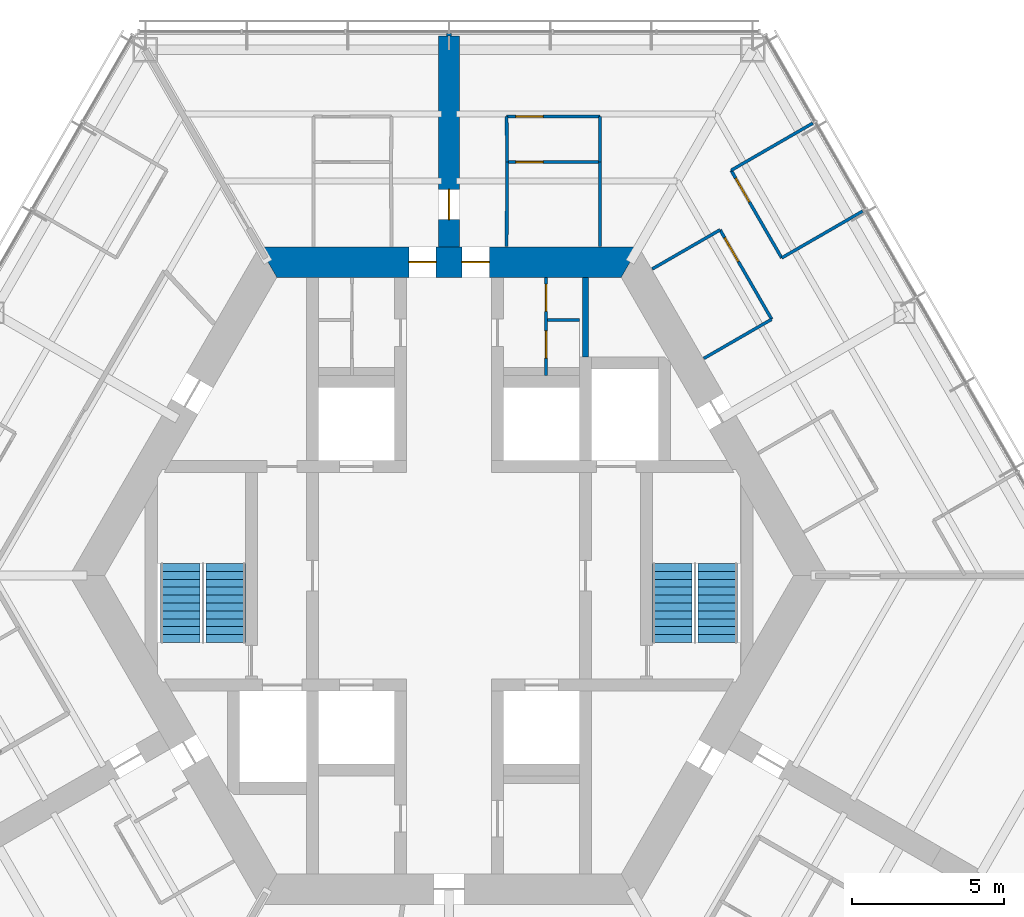
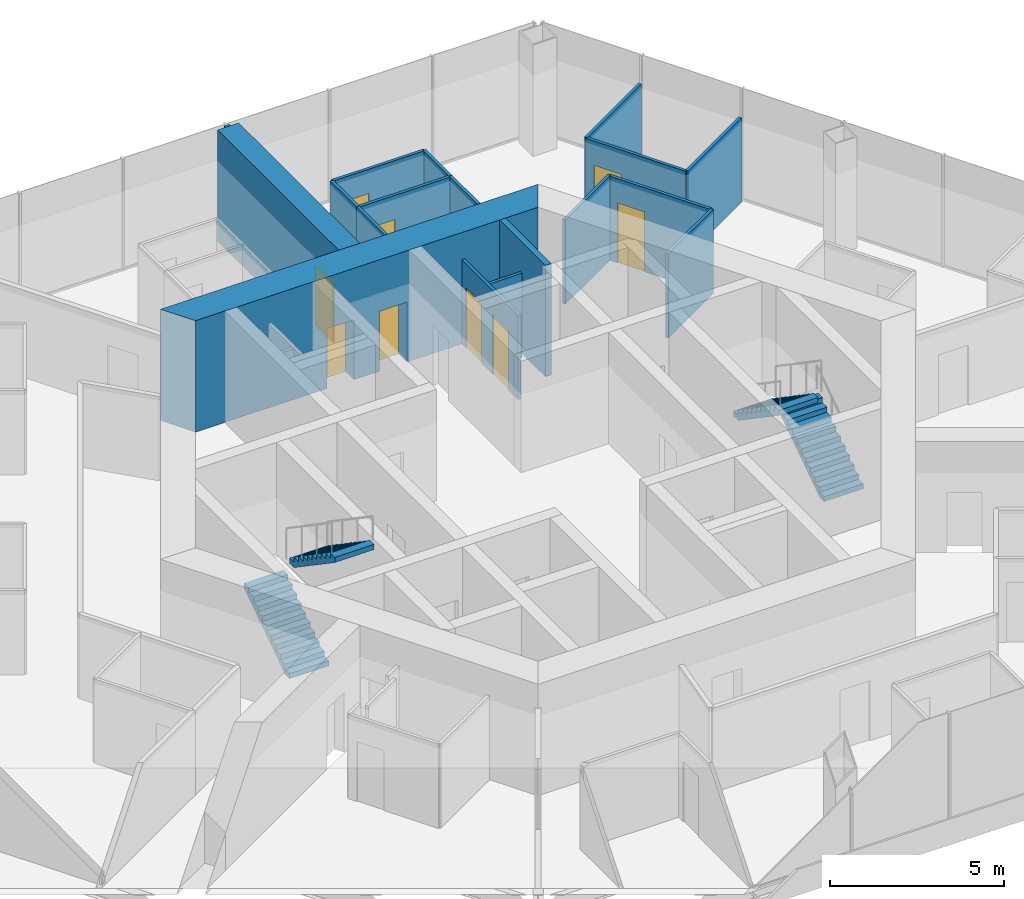
# One storey, part 16 of 19: 18 walls, 9 doors, 4 stair flights, 9 openings, 2 elements without a shape of their own.
"""IFC4 building model written with IfcOpenShell, lengths in metres."""

from ifc_helpers import new_model, si_unit, direction, frame, frame_2d, origin, place, context, subcontext, project, spatial, polyline, rectangle, outline, extrude, material, layer, layer_set, type_object, element, fill, aggregate, save


model = new_model("IFC4")

# Units and contexts
model_context = context("Model", 3, precision=1e-05, world=origin(), true_north=direction((0.0, 1.0)))
body_context = subcontext(model_context, "Body", "Model", "MODEL_VIEW")
ifc_project = project(units=[si_unit("LENGTHUNIT", "METRE"), si_unit("AREAUNIT", "SQUARE_METRE"), si_unit("VOLUMEUNIT", "CUBIC_METRE"), si_unit("PLANEANGLEUNIT", "RADIAN"), si_unit("MASSUNIT", "GRAM", prefix="KILO")], contexts=[model_context])

# Site, building, storey
site_placement = place(None, origin())
site = spatial("IfcSite", under=ifc_project, at=site_placement, CompositionType="ELEMENT")
building_placement = place(site_placement, origin())
building = spatial("IfcBuilding", under=site, at=building_placement, Name="Kasaneha Research Tower", CompositionType="ELEMENT")
storey_placement = place(building_placement, frame((0.0, 0.0, 156.5)))
storey = spatial("IfcBuildingStorey", under=building, at=storey_placement, Name="L39", CompositionType="ELEMENT", Elevation=156.5)

# Wall, openings, doors
ifc_material_1 = material(Name="Concrete Fc70", Category="concrete")
ifc_layer_1 = layer(ifc_material_1, 1.0)
ifc_layer_set_1 = layer_set([ifc_layer_1], Name="Core wall 1000 Fc70")
wall_type_1 = type_object("IfcWallType", Name="Core wall 1000 Fc70", PredefinedType="SHEAR", material=ifc_layer_set_1)
wall_1_placement = place(storey_placement, frame((5.961181640625, 10.324951171875, 0.0), z_axis=(0.0, 0.0, 1.0), x_axis=(-1.0, 0.0, 0.0)))
wall_1 = element("IfcWall", 1, at=wall_1_placement, inside=storey, type_object=wall_type_1, Name="Core wall 090 L39", PredefinedType="SHEAR", context=body_context, shape_type="SweptSolid", body=[
    extrude(outline(polyline([(-0.28857421875, -0.5), (4.63623046875, -0.5), (5.5361328125, -0.5), (6.38623046875, -0.5), (7.2861328125, -0.5), (12.2109375, -0.5), (11.6337890625, 0.5), (7.2861328125, 0.5), (6.38623046875, 0.5), (5.5361328125, 0.5), (4.63623046875, 0.5), (0.28857421875, 0.5), (-0.28857421875, -0.5)])), origin(), (0.0, 0.0, 1.0), 3.89990234375),
])
opening_1_placement = place(wall_1_placement, frame((6.38623046875, 0.0, 0.0)))
opening_1 = element("IfcOpeningElement", 2, at=opening_1_placement, cuts=wall_1, Name="Opening L39-D01", PredefinedType="OPENING", context=body_context, shape_type="SweptSolid", body=[
    extrude(rectangle(XDim=0.89990234375, YDim=2.10009765625, at=frame_2d((0.449951171875, 1.050048828125))), frame((0.0, 0.510009765625, 0.0), z_axis=(0.0, -1.0, 0.0), x_axis=(1.0, 0.0, 0.0)), (0.0, 0.0, 1.0), 1.02001953125),
])
opening_2_placement = place(wall_1_placement, frame((4.63623046875, 0.0, 0.0)))
opening_2 = element("IfcOpeningElement", 3, at=opening_2_placement, cuts=wall_1, Name="Opening L39-D02", PredefinedType="OPENING", context=body_context, shape_type="SweptSolid", body=[
    extrude(rectangle(XDim=0.89990234375, YDim=2.10009765625, at=frame_2d((0.449951171875, 1.050048828125))), frame((0.0, 0.510009765625, 0.0), z_axis=(0.0, -1.0, 0.0), x_axis=(1.0, 0.0, 0.0)), (0.0, 0.0, 1.0), 1.02001953125),
])
ifc_material_2 = material(Name="Steel", Category="steel")
door_type_1 = type_object("IfcDoorType", Name="Toilet door FD20 900x2100", OperationType="NOTDEFINED", PredefinedType="DOOR", material=ifc_material_2)
door_1_placement = place(opening_1_placement, origin())
door_1 = element("IfcDoor", 4, at=door_1_placement, inside=storey, type_object=door_type_1, Name="Core door north 1 L39-D01", OperationType="SINGLE_SWING_RIGHT", OverallHeight=2.10009765625, OverallWidth=0.89990234375, PredefinedType="DOOR", context=body_context, shape_type="SweptSolid", body=[
    extrude(rectangle(XDim=0.89990234375, YDim=2.10009765625, at=frame_2d((0.449951171875, 1.050048828125))), frame((0.0, 0.02490234375, 0.0), z_axis=(0.0, -1.0, 0.0), x_axis=(1.0, 0.0, 0.0)), (0.0, 0.0, 1.0), 0.050048828125),
])
fill(opening_1, door_1)
door_2_placement = place(opening_2_placement, origin())
door_2 = element("IfcDoor", 5, at=door_2_placement, inside=storey, type_object=door_type_1, Name="Core door north 2 L39-D02", OperationType="SINGLE_SWING_LEFT", OverallHeight=2.10009765625, OverallWidth=0.89990234375, PredefinedType="DOOR", context=body_context, shape_type="SweptSolid", body=[
    extrude(rectangle(XDim=0.89990234375, YDim=2.10009765625, at=frame_2d((0.449951171875, 1.050048828125))), frame((0.0, 0.02490234375, 0.0), z_axis=(0.0, -1.0, 0.0), x_axis=(1.0, 0.0, 0.0)), (0.0, 0.0, 1.0), 0.050048828125),
])
fill(opening_2, door_2)

ifc_material_3 = material(Name="Gypsum board on steel studs, one layer each side", Category="steel")
ifc_layer_2 = layer(ifc_material_3, 0.10009765625)
ifc_layer_set_2 = layer_set([ifc_layer_2], Name="Office partition 100")
wall_type_2 = type_object("IfcWallType", Name="Office partition 100", PredefinedType="PARTITIONING", material=ifc_layer_set_2)
wall_2_placement = place(storey_placement, frame((3.199951171875, 6.60009765625, 0.0), z_axis=(0.0, 0.0, 1.0), x_axis=(0.0, 1.0, 0.0)))
wall_2 = element("IfcWall", 6, at=wall_2_placement, inside=storey, type_object=wall_type_2, Name="Office partition TBF1 L39", PredefinedType="PARTITIONING", context=body_context, shape_type="SweptSolid", body=[
    extrude(rectangle(XDim=3.224853515625, YDim=0.10009765625, at=frame_2d((1.6123046875, 0.0))), origin(), (0.0, 0.0, 1.0), 2.949951171875),
])
opening_3_placement = place(wall_2_placement, frame((0.5625, 0.0, 0.0)))
opening_3 = element("IfcOpeningElement", 7, at=opening_3_placement, cuts=wall_2, Name="Opening L39-D22", PredefinedType="OPENING", context=body_context, shape_type="SweptSolid", body=[
    extrude(rectangle(XDim=0.89990234375, YDim=2.10009765625, at=frame_2d((0.449951171875, 1.050048828125))), frame((0.0, 0.06005859375, 0.0), z_axis=(0.0, -1.0, 0.0), x_axis=(1.0, 0.0, 0.0)), (0.0, 0.0, 1.0), 0.1201171875),
])
opening_4_placement = place(wall_2_placement, frame((2.10009765625, 0.0, 0.0)))
opening_4 = element("IfcOpeningElement", 8, at=opening_4_placement, cuts=wall_2, Name="Opening L39-D23", PredefinedType="OPENING", context=body_context, shape_type="SweptSolid", body=[
    extrude(rectangle(XDim=0.89990234375, YDim=2.10009765625, at=frame_2d((0.449951171875, 1.050048828125))), frame((0.0, 0.06005859375, 0.0), z_axis=(0.0, -1.0, 0.0), x_axis=(1.0, 0.0, 0.0)), (0.0, 0.0, 1.0), 0.1201171875),
])
ifc_material_4 = material(Name="Steel", Category="steel")
door_type_2 = type_object("IfcDoorType", Name="Toilet lobby door FD30 900x2100", OperationType="NOTDEFINED", PredefinedType="DOOR", material=ifc_material_4)
door_3_placement = place(opening_3_placement, origin())
door_3 = element("IfcDoor", 9, at=door_3_placement, inside=storey, type_object=door_type_2, Name="Women's WC door L39-D22", OperationType="SINGLE_SWING_RIGHT", OverallHeight=2.10009765625, OverallWidth=0.89990234375, PredefinedType="DOOR", context=body_context, shape_type="SweptSolid", body=[
    extrude(rectangle(XDim=0.89990234375, YDim=2.10009765625, at=frame_2d((0.449951171875, 1.050048828125))), frame((0.0, 0.02490234375, 0.0), z_axis=(0.0, -1.0, 0.0), x_axis=(1.0, 0.0, 0.0)), (0.0, 0.0, 1.0), 0.050048828125),
])
fill(opening_3, door_3)
door_4_placement = place(opening_4_placement, origin())
door_4 = element("IfcDoor", 10, at=door_4_placement, inside=storey, type_object=door_type_2, Name="Parents' room door L39-D23", OperationType="SINGLE_SWING_RIGHT", OverallHeight=2.10009765625, OverallWidth=0.89990234375, PredefinedType="DOOR", context=body_context, shape_type="SweptSolid", body=[
    extrude(rectangle(XDim=0.89990234375, YDim=2.10009765625, at=frame_2d((0.449951171875, 1.050048828125))), frame((0.0, 0.02490234375, 0.0), z_axis=(0.0, -1.0, 0.0), x_axis=(1.0, 0.0, 0.0)), (0.0, 0.0, 1.0), 0.050048828125),
])
fill(opening_4, door_4)

# Wall
wall_3_placement = place(storey_placement, frame((3.25, 8.425048828125, 0.0), z_axis=(0.0, 0.0, 1.0), x_axis=(1.0, 0.0, 0.0)))
element("IfcWall", 11, at=wall_3_placement, inside=storey, type_object=wall_type_2, Name="Office partition TBF2 L39", PredefinedType="PARTITIONING", context=body_context, shape_type="SweptSolid", body=[
    extrude(rectangle(XDim=1.050048828125, YDim=0.10009765625, at=frame_2d((0.52490234375, 0.0))), origin(), (0.0, 0.0, 1.0), 2.949951171875),
])

# Wall, opening, door
wall_4_placement = place(storey_placement, frame((1.89990234375, 13.6201171875, 0.0), z_axis=(0.0, 0.0, 1.0), x_axis=(1.0, 0.0, 0.0)))
wall_4 = element("IfcWall", 12, at=wall_4_placement, inside=storey, type_object=wall_type_2, Name="Office partition FAE01 L39", PredefinedType="PARTITIONING", context=body_context, shape_type="SweptSolid", body=[
    extrude(rectangle(XDim=3.071044921875, YDim=0.10009765625, at=frame_2d((1.53564453125, 0.0))), origin(), (0.0, 0.0, 1.0), 2.949951171875),
])
opening_5_placement = place(wall_4_placement, frame((0.300048828125, 0.0, 0.0)))
opening_5 = element("IfcOpeningElement", 13, at=opening_5_placement, cuts=wall_4, Name="Opening L39-D27", PredefinedType="OPENING", context=body_context, shape_type="SweptSolid", body=[
    extrude(rectangle(XDim=0.89990234375, YDim=2.10009765625, at=frame_2d((0.449951171875, 1.050048828125))), frame((0.0, 0.06005859375, 0.0), z_axis=(0.0, -1.0, 0.0), x_axis=(1.0, 0.0, 0.0)), (0.0, 0.0, 1.0), 0.1201171875),
])
door_5_placement = place(opening_5_placement, origin())
door_5 = element("IfcDoor", 14, at=door_5_placement, inside=storey, type_object=door_type_2, Name="Women's WC door L39-D27", OperationType="SINGLE_SWING_LEFT", OverallHeight=2.10009765625, OverallWidth=0.89990234375, PredefinedType="DOOR", context=body_context, shape_type="SweptSolid", body=[
    extrude(rectangle(XDim=0.89990234375, YDim=2.10009765625, at=frame_2d((0.449951171875, 1.050048828125))), frame((0.0, 0.02490234375, 0.0), z_axis=(0.0, -1.0, 0.0), x_axis=(1.0, 0.0, 0.0)), (0.0, 0.0, 1.0), 0.050048828125),
])
fill(opening_5, door_5)

# Walls
for number, where, z_axis, x_axis, name in (
    (15, (1.89990234375, 10.844970703125, 0.0), (0.0, 0.0, 1.0), (0.001668567099, 0.999998607941, 0.0), "Office partition FAE02 L39"),
    (16, (4.96630859375, 13.625, 0.0), (0.0, 0.0, 1.0), (0.001668567099, -0.999998607941, 0.0), "Office partition FAE03 L39"),
):
    element("IfcWall", number, at=place(storey_placement, frame(where, z_axis=z_axis, x_axis=x_axis)), inside=storey, type_object=wall_type_2, Name=name, PredefinedType="PARTITIONING", context=body_context, shape_type="SweptSolid", body=[
        extrude(rectangle(XDim=2.780029296875, YDim=0.10009765625, at=frame_2d((1.39013671875, 0.0))), origin(), (0.0, 0.0, 1.0), 2.949951171875),
    ])

# Wall, opening, door
wall_5_placement = place(storey_placement, frame((1.89990234375, 15.125, 0.0), z_axis=(0.0, 0.0, 1.0), x_axis=(1.0, 0.0, 0.0)))
wall_5 = element("IfcWall", 17, at=wall_5_placement, inside=storey, type_object=wall_type_2, Name="Office partition FAE04 L39", PredefinedType="PARTITIONING", context=body_context, shape_type="SweptSolid", body=[
    extrude(rectangle(XDim=3.071044921875, YDim=0.10009765625, at=frame_2d((1.53564453125, 0.0))), origin(), (0.0, 0.0, 1.0), 2.949951171875),
])
opening_6_placement = place(wall_5_placement, frame((0.300048828125, 0.0, 0.0)))
opening_6 = element("IfcOpeningElement", 18, at=opening_6_placement, cuts=wall_5, Name="Opening L39-D28", PredefinedType="OPENING", context=body_context, shape_type="SweptSolid", body=[
    extrude(rectangle(XDim=0.89990234375, YDim=2.10009765625, at=frame_2d((0.449951171875, 1.050048828125))), frame((0.0, 0.06005859375, 0.0), z_axis=(0.0, -1.0, 0.0), x_axis=(1.0, 0.0, 0.0)), (0.0, 0.0, 1.0), 0.1201171875),
])
door_6_placement = place(opening_6_placement, origin())
door_6 = element("IfcDoor", 19, at=door_6_placement, inside=storey, type_object=door_type_2, Name="Toilet lobby door L39-D28", OperationType="SINGLE_SWING_LEFT", OverallHeight=2.10009765625, OverallWidth=0.89990234375, PredefinedType="DOOR", context=body_context, shape_type="SweptSolid", body=[
    extrude(rectangle(XDim=0.89990234375, YDim=2.10009765625, at=frame_2d((0.449951171875, 1.050048828125))), frame((0.0, 0.02490234375, 0.0), z_axis=(0.0, -1.0, 0.0), x_axis=(1.0, 0.0, 0.0)), (0.0, 0.0, 1.0), 0.050048828125),
])
fill(opening_6, door_6)

# Walls
for number, where, z_axis, x_axis, name in (
    (20, (1.904541015625, 13.625, 0.0), (0.0, 0.0, 1.0), (-0.00309243313, 0.999995218417, 0.0), "Office partition FAE05 L39"),
    (21, (4.970947265625, 15.125, 0.0), (0.0, 0.0, 1.0), (-0.00309243313, -0.999995218417, 0.0), "Office partition FAE06 L39"),
):
    element("IfcWall", number, at=place(storey_placement, frame(where, z_axis=z_axis, x_axis=x_axis)), inside=storey, type_object=wall_type_2, Name=name, PredefinedType="PARTITIONING", context=body_context, shape_type="SweptSolid", body=[
        extrude(rectangle(XDim=1.5, YDim=0.10009765625, at=frame_2d((0.75, 0.0))), origin(), (0.0, 0.0, 1.0), 2.949951171875),
    ])
wall_6_placement = place(storey_placement, frame((9.29052734375, 13.34912109375, 0.0), z_axis=(0.0, 0.0, 1.0), x_axis=(0.866042875753, 0.499969736442, 0.0)))
element("IfcWall", 22, at=wall_6_placement, inside=storey, type_object=wall_type_2, Name="Office partition FAE10 L39", PredefinedType="PARTITIONING", context=body_context, shape_type="SweptSolid", body=[
    extrude(rectangle(XDim=3.105224609375, YDim=0.10009765625, at=frame_2d((1.552734375, 0.0))), origin(), (0.0, 0.0, 1.0), 2.949951171875),
])

# Wall, opening, door
wall_7_placement = place(storey_placement, frame((10.9560546875, 10.464599609375, 0.0), z_axis=(0.0, 0.0, 1.0), x_axis=(-0.500033344505, 0.86600615147, 0.0)))
wall_7 = element("IfcWall", 23, at=wall_7_placement, inside=storey, type_object=wall_type_2, Name="Office partition FAE11 L39", PredefinedType="PARTITIONING", context=body_context, shape_type="SweptSolid", body=[
    extrude(rectangle(XDim=3.330810546875, YDim=0.10009765625, at=frame_2d((1.66552734375, 0.0))), origin(), (0.0, 0.0, 1.0), 2.949951171875),
])
opening_7_placement = place(wall_7_placement, frame((2.131103515625, 0.0, 0.0)))
opening_7 = element("IfcOpeningElement", 24, at=opening_7_placement, cuts=wall_7, Name="Opening L39-D30", PredefinedType="OPENING", context=body_context, shape_type="SweptSolid", body=[
    extrude(rectangle(XDim=0.89990234375, YDim=2.10009765625, at=frame_2d((0.449951171875, 1.050048828125))), frame((0.0, 0.06005859375, 0.0), z_axis=(0.0, -1.0, 0.0), x_axis=(1.0, 0.0, 0.0)), (0.0, 0.0, 1.0), 0.1201171875),
])
ifc_material_5 = material(Name="Timber veneer", Category="wood")
door_type_3 = type_object("IfcDoorType", Name="Office door 900x2100", OperationType="SINGLE_SWING_LEFT", PredefinedType="DOOR", material=ifc_material_5)
door_7_placement = place(opening_7_placement, origin())
door_7 = element("IfcDoor", 25, at=door_7_placement, inside=storey, type_object=door_type_3, Name="Manager's office door L39-D30", OperationType="SINGLE_SWING_RIGHT", OverallHeight=2.10009765625, OverallWidth=0.89990234375, PredefinedType="DOOR", context=body_context, shape_type="SweptSolid", body=[
    extrude(rectangle(XDim=0.89990234375, YDim=2.10009765625, at=frame_2d((0.449951171875, 1.050048828125))), frame((0.0, 0.02490234375, 0.0), z_axis=(0.0, -1.0, 0.0), x_axis=(1.0, 0.0, 0.0)), (0.0, 0.0, 1.0), 0.050048828125),
])
fill(opening_7, door_7)

# Walls
wall_8_placement = place(storey_placement, frame((13.623291015625, 12.00439453125, 0.0), z_axis=(0.0, 0.0, 1.0), x_axis=(-0.866044340336, -0.499967199496, 0.0)))
element("IfcWall", 26, at=wall_8_placement, inside=storey, type_object=wall_type_2, Name="Office partition FAE12 L39", PredefinedType="PARTITIONING", context=body_context, shape_type="SweptSolid", body=[
    extrude(rectangle(XDim=3.079833984375, YDim=0.10009765625, at=frame_2d((1.5400390625, 0.0))), origin(), (0.0, 0.0, 1.0), 2.949951171875),
])
wall_9_placement = place(storey_placement, frame((6.69189453125, 10.09912109375, 0.0), z_axis=(0.0, 0.0, 1.0), x_axis=(0.866086324858, 0.499894466757, 0.0)))
element("IfcWall", 27, at=wall_9_placement, inside=storey, type_object=wall_type_2, Name="Office partition FAE13 L39", PredefinedType="PARTITIONING", context=body_context, shape_type="SweptSolid", body=[
    extrude(rectangle(XDim=2.580078125, YDim=0.10009765625, at=frame_2d((1.2900390625, 0.0))), origin(), (0.0, 0.0, 1.0), 2.949951171875),
])

# Wall, opening, door
wall_10_placement = place(storey_placement, frame((8.926513671875, 11.388916015625, 0.0), z_axis=(0.0, 0.0, 1.0), x_axis=(0.500008388397, -0.866020560687, 0.0)))
wall_10 = element("IfcWall", 28, at=wall_10_placement, inside=storey, type_object=wall_type_2, Name="Office partition FAE14 L39", PredefinedType="PARTITIONING", context=body_context, shape_type="SweptSolid", body=[
    extrude(rectangle(XDim=3.39990234375, YDim=0.10009765625, at=frame_2d((1.699951171875, 0.0))), origin(), (0.0, 0.0, 1.0), 2.949951171875),
])
opening_8_placement = place(wall_10_placement, frame((0.300048828125, 0.0, 0.0)))
opening_8 = element("IfcOpeningElement", 29, at=opening_8_placement, cuts=wall_10, Name="Opening L39-D31", PredefinedType="OPENING", context=body_context, shape_type="SweptSolid", body=[
    extrude(rectangle(XDim=0.89990234375, YDim=2.10009765625, at=frame_2d((0.449951171875, 1.050048828125))), frame((0.0, 0.06005859375, 0.0), z_axis=(0.0, -1.0, 0.0), x_axis=(1.0, 0.0, 0.0)), (0.0, 0.0, 1.0), 0.1201171875),
])
door_8_placement = place(opening_8_placement, origin())
door_8 = element("IfcDoor", 30, at=door_8_placement, inside=storey, type_object=door_type_3, Name="Mail room door L39-D31", OperationType="SINGLE_SWING_LEFT", OverallHeight=2.10009765625, OverallWidth=0.89990234375, PredefinedType="DOOR", context=body_context, shape_type="SweptSolid", body=[
    extrude(rectangle(XDim=0.89990234375, YDim=2.10009765625, at=frame_2d((0.449951171875, 1.050048828125))), frame((0.0, 0.02490234375, 0.0), z_axis=(0.0, -1.0, 0.0), x_axis=(1.0, 0.0, 0.0)), (0.0, 0.0, 1.0), 0.050048828125),
])
fill(opening_8, door_8)

# Walls
wall_11_placement = place(storey_placement, frame((10.62646484375, 8.444580078125, 0.0), z_axis=(0.0, 0.0, 1.0), x_axis=(-0.866021702275, -0.500006411147, 0.0)))
element("IfcWall", 31, at=wall_11_placement, inside=storey, type_object=wall_type_2, Name="Office partition FAE15 L39", PredefinedType="PARTITIONING", context=body_context, shape_type="SweptSolid", body=[
    extrude(rectangle(XDim=2.580078125, YDim=0.10009765625, at=frame_2d((1.2900390625, 0.0))), origin(), (0.0, 0.0, 1.0), 2.949951171875),
])
ifc_material_6 = material(Name="Concrete block", Category="concrete")
ifc_layer_3 = layer(ifc_material_6, 0.199951171875)
ifc_layer_set_3 = layer_set([ifc_layer_3], Name="Riser enclosure wall 200")
wall_type_3 = type_object("IfcWallType", Name="Riser enclosure wall 200", PredefinedType="STANDARD", material=ifc_layer_set_3)
wall_12_placement = place(storey_placement, frame((4.5, 7.199951171875, 0.0), z_axis=(0.0, 0.0, 1.0), x_axis=(0.0, 1.0, 0.0)))
element("IfcWall", 32, at=wall_12_placement, inside=storey, type_object=wall_type_3, Name="Riser enclosure wall L39", PredefinedType="STANDARD", context=body_context, shape_type="SweptSolid", body=[
    extrude(rectangle(XDim=2.625, YDim=0.199951171875, at=frame_2d((1.3125, 0.0))), origin(), (0.0, 0.0, 1.0), 3.89990234375),
])

# Wall, opening, door
ifc_material_7 = material(Name="Concrete Fc70", Category="concrete")
ifc_layer_4 = layer(ifc_material_7, 0.699951171875)
ifc_layer_set_4 = layer_set([ifc_layer_4], Name="Spine wall 700 Fc70")
wall_type_4 = type_object("IfcWallType", Name="Spine wall 700 Fc70", PredefinedType="SHEAR", material=ifc_layer_set_4)
wall_13_placement = place(storey_placement, frame((0.0, 10.824951171875, 0.0), z_axis=(0.0, 0.0, 1.0), x_axis=(0.0, 1.0, 0.0)))
wall_13 = element("IfcWall", 33, at=wall_13_placement, inside=storey, type_object=wall_type_4, Name="Spine wall A L39", PredefinedType="SHEAR", context=body_context, shape_type="SweptSolid", body=[
    extrude(rectangle(XDim=6.945556640625, YDim=0.699951171875, at=frame_2d((3.47265625, 0.0))), origin(), (0.0, 0.0, 1.0), 3.89990234375),
])
opening_9_placement = place(wall_13_placement, frame((0.89990234375, 0.0, 0.0)))
opening_9 = element("IfcOpeningElement", 34, at=opening_9_placement, cuts=wall_13, Name="Opening L39-D17", PredefinedType="OPENING", context=body_context, shape_type="SweptSolid", body=[
    extrude(rectangle(XDim=1.0, YDim=2.10009765625, at=frame_2d((0.5, 1.050048828125))), frame((0.0, 0.35986328125, 0.0), z_axis=(0.0, -1.0, 0.0), x_axis=(1.0, 0.0, 0.0)), (0.0, 0.0, 1.0), 0.719970703125),
])
ifc_material_8 = material(Name="Steel", Category="steel")
door_type_4 = type_object("IfcDoorType", Name="Specified fire door FD60 1000x2100", OperationType="NOTDEFINED", PredefinedType="DOOR", material=ifc_material_8)
door_9_placement = place(opening_9_placement, origin())
door_9 = element("IfcDoor", 35, at=door_9_placement, inside=storey, type_object=door_type_4, Name="Spine doorway A L39-D17", OperationType="SINGLE_SWING_LEFT", OverallHeight=2.10009765625, OverallWidth=1.0, PredefinedType="DOOR", context=body_context, shape_type="SweptSolid", body=[
    extrude(rectangle(XDim=1.0, YDim=2.10009765625, at=frame_2d((0.5, 1.050048828125))), frame((0.0, 0.02490234375, 0.0), z_axis=(0.0, -1.0, 0.0), x_axis=(1.0, 0.0, 0.0)), (0.0, 0.0, 1.0), 0.050048828125),
])
fill(opening_9, door_9)

# Wall
ifc_material_9 = material(Name="Gypsum board on steel studs, two layers each side", Category="steel")
ifc_layer_5 = layer(ifc_material_9, 0.175048828125)
ifc_layer_set_5 = layer_set([ifc_layer_5], Name="Tenancy fire partition 175")
wall_type_5 = type_object("IfcWallType", Name="Tenancy fire partition 175", PredefinedType="PARTITIONING", material=ifc_layer_set_5)
wall_14_placement = place(storey_placement, frame((0.0, 17.7705078125, 0.0), z_axis=(0.0, 0.0, 1.0), x_axis=(0.0, 1.0, 0.0)))
element("IfcWall", 36, at=wall_14_placement, inside=storey, type_object=wall_type_5, Name="Spine wall closer SW3-700 L39", PredefinedType="PARTITIONING", context=body_context, shape_type="SweptSolid", body=[
    extrude(rectangle(XDim=0.080078125, YDim=0.175048828125, at=frame_2d((0.0400390625, 0.0))), origin(), (0.0, 0.0, 1.0), 3.89990234375),
])

# Stair, stair flights
ifc_material_10 = material(Name="Concrete Fc24", Category="concrete")
stair_type = type_object("IfcStairType", Name="Half-turn stair 22 risers", PredefinedType="HALF_TURN_STAIR", material=ifc_material_10)
stair_1_placement = place(storey_placement, origin())
stair_1 = element("IfcStair", 37, at=stair_1_placement, inside=storey, type_object=stair_type, Name="Stair 1 L39", PredefinedType="HALF_TURN_STAIR")
ifc_material_11 = material(Name="Concrete Fc24", Category="concrete")
stair_flight_type = type_object("IfcStairFlightType", Name="Stair flight 11 risers 177.3", PredefinedType="STRAIGHT", material=ifc_material_11)
stair_flight_1_placement = place(storey_placement, frame((8.85009765625, -2.199951171875, 0.0), z_axis=(0.0, 0.0, 1.0), x_axis=(0.0, 1.0, 0.0)))
stair_flight_1 = element("IfcStairFlight", 38, at=stair_flight_1_placement, type_object=stair_flight_type, Name="ST1-22R flight 1", NumberOfRisers=11, NumberOfTreads=10, PredefinedType="STRAIGHT", RiserHeight=0.177272727, TreadLength=0.26, context=body_context, shape_type="SweptSolid", body=[
    extrude(outline(polyline([(0.0, 0.0), (0.0, 0.17724609375), (0.260009765625, 0.17724609375), (0.260009765625, 0.3544921875), (0.52001953125, 0.3544921875), (0.52001953125, 0.53173828125), (0.780029296875, 0.53173828125), (0.780029296875, 0.708984375), (1.0400390625, 0.708984375), (1.0400390625, 0.886474609375), (1.300048828125, 0.886474609375), (1.300048828125, 1.063720703125), (1.56005859375, 1.063720703125), (1.56005859375, 1.240966796875), (1.820068359375, 1.240966796875), (1.820068359375, 1.418212890625), (2.080078125, 1.418212890625), (2.080078125, 1.595458984375), (2.340087890625, 1.595458984375), (2.340087890625, 1.772705078125), (2.60009765625, 1.772705078125), (2.60009765625, 1.949951171875), (2.60009765625, 1.59130859375), (0.26611328125, 0.0), (0.0, 0.0)])), frame((0.0, 0.64990234375, 0.0), z_axis=(0.0, -1.0, 0.0), x_axis=(1.0, 0.0, 0.0)), (0.0, 0.0, 1.0), 1.300048828125),
])
stair_flight_2_placement = place(storey_placement, frame((7.35009765625, 0.39990234375, 1.949951171875), z_axis=(0.0, 0.0, 1.0), x_axis=(0.0, -1.0, 0.0)))
stair_flight_2 = element("IfcStairFlight", 39, at=stair_flight_2_placement, type_object=stair_flight_type, Name="ST1-22R flight 2", NumberOfRisers=11, NumberOfTreads=10, PredefinedType="STRAIGHT", RiserHeight=0.177272727, TreadLength=0.26, context=body_context, shape_type="SweptSolid", body=[
    extrude(outline(polyline([(0.0, 0.0), (0.0, 0.17724609375), (0.260009765625, 0.17724609375), (0.260009765625, 0.3544921875), (0.52001953125, 0.3544921875), (0.52001953125, 0.53173828125), (0.780029296875, 0.53173828125), (0.780029296875, 0.708984375), (1.0400390625, 0.708984375), (1.0400390625, 0.886474609375), (1.300048828125, 0.886474609375), (1.300048828125, 1.063720703125), (1.56005859375, 1.063720703125), (1.56005859375, 1.240966796875), (1.820068359375, 1.240966796875), (1.820068359375, 1.418212890625), (2.080078125, 1.418212890625), (2.080078125, 1.595458984375), (2.340087890625, 1.595458984375), (2.340087890625, 1.772705078125), (2.60009765625, 1.772705078125), (2.60009765625, 1.949951171875), (2.60009765625, 1.59130859375), (0.26611328125, 0.0), (0.0, 0.0)])), frame((0.0, 0.64990234375, 0.0), z_axis=(0.0, -1.0, 0.0), x_axis=(1.0, 0.0, 0.0)), (0.0, 0.0, 1.0), 1.300048828125),
])
aggregate(stair_1, [stair_flight_1, stair_flight_2])

stair_2_placement = place(storey_placement, origin())
stair_2 = element("IfcStair", 40, at=stair_2_placement, inside=storey, type_object=stair_type, Name="Stair 2 L39", PredefinedType="HALF_TURN_STAIR")
stair_flight_3_placement = place(storey_placement, frame((-8.85009765625, -2.199951171875, 0.0), z_axis=(0.0, 0.0, 1.0), x_axis=(0.0, 1.0, 0.0)))
stair_flight_3 = element("IfcStairFlight", 41, at=stair_flight_3_placement, type_object=stair_flight_type, Name="ST2-22R flight 1", NumberOfRisers=11, NumberOfTreads=10, PredefinedType="STRAIGHT", RiserHeight=0.177272727, TreadLength=0.26, context=body_context, shape_type="SweptSolid", body=[
    extrude(outline(polyline([(0.0, 0.0), (0.0, 0.17724609375), (0.260009765625, 0.17724609375), (0.260009765625, 0.3544921875), (0.52001953125, 0.3544921875), (0.52001953125, 0.53173828125), (0.780029296875, 0.53173828125), (0.780029296875, 0.708984375), (1.0400390625, 0.708984375), (1.0400390625, 0.886474609375), (1.300048828125, 0.886474609375), (1.300048828125, 1.063720703125), (1.56005859375, 1.063720703125), (1.56005859375, 1.240966796875), (1.820068359375, 1.240966796875), (1.820068359375, 1.418212890625), (2.080078125, 1.418212890625), (2.080078125, 1.595458984375), (2.340087890625, 1.595458984375), (2.340087890625, 1.772705078125), (2.60009765625, 1.772705078125), (2.60009765625, 1.949951171875), (2.60009765625, 1.59130859375), (0.26611328125, 0.0), (0.0, 0.0)])), frame((0.0, 0.64990234375, 0.0), z_axis=(0.0, -1.0, 0.0), x_axis=(1.0, 0.0, 0.0)), (0.0, 0.0, 1.0), 1.300048828125),
])
stair_flight_4_placement = place(storey_placement, frame((-7.35009765625, 0.39990234375, 1.949951171875), z_axis=(0.0, 0.0, 1.0), x_axis=(0.0, -1.0, 0.0)))
stair_flight_4 = element("IfcStairFlight", 42, at=stair_flight_4_placement, type_object=stair_flight_type, Name="ST2-22R flight 2", NumberOfRisers=11, NumberOfTreads=10, PredefinedType="STRAIGHT", RiserHeight=0.177272727, TreadLength=0.26, context=body_context, shape_type="SweptSolid", body=[
    extrude(outline(polyline([(0.0, 0.0), (0.0, 0.17724609375), (0.260009765625, 0.17724609375), (0.260009765625, 0.3544921875), (0.52001953125, 0.3544921875), (0.52001953125, 0.53173828125), (0.780029296875, 0.53173828125), (0.780029296875, 0.708984375), (1.0400390625, 0.708984375), (1.0400390625, 0.886474609375), (1.300048828125, 0.886474609375), (1.300048828125, 1.063720703125), (1.56005859375, 1.063720703125), (1.56005859375, 1.240966796875), (1.820068359375, 1.240966796875), (1.820068359375, 1.418212890625), (2.080078125, 1.418212890625), (2.080078125, 1.595458984375), (2.340087890625, 1.595458984375), (2.340087890625, 1.772705078125), (2.60009765625, 1.772705078125), (2.60009765625, 1.949951171875), (2.60009765625, 1.59130859375), (0.26611328125, 0.0), (0.0, 0.0)])), frame((0.0, 0.64990234375, 0.0), z_axis=(0.0, -1.0, 0.0), x_axis=(1.0, 0.0, 0.0)), (0.0, 0.0, 1.0), 1.300048828125),
])
aggregate(stair_2, [stair_flight_3, stair_flight_4])

save(model, "model.ifc")
